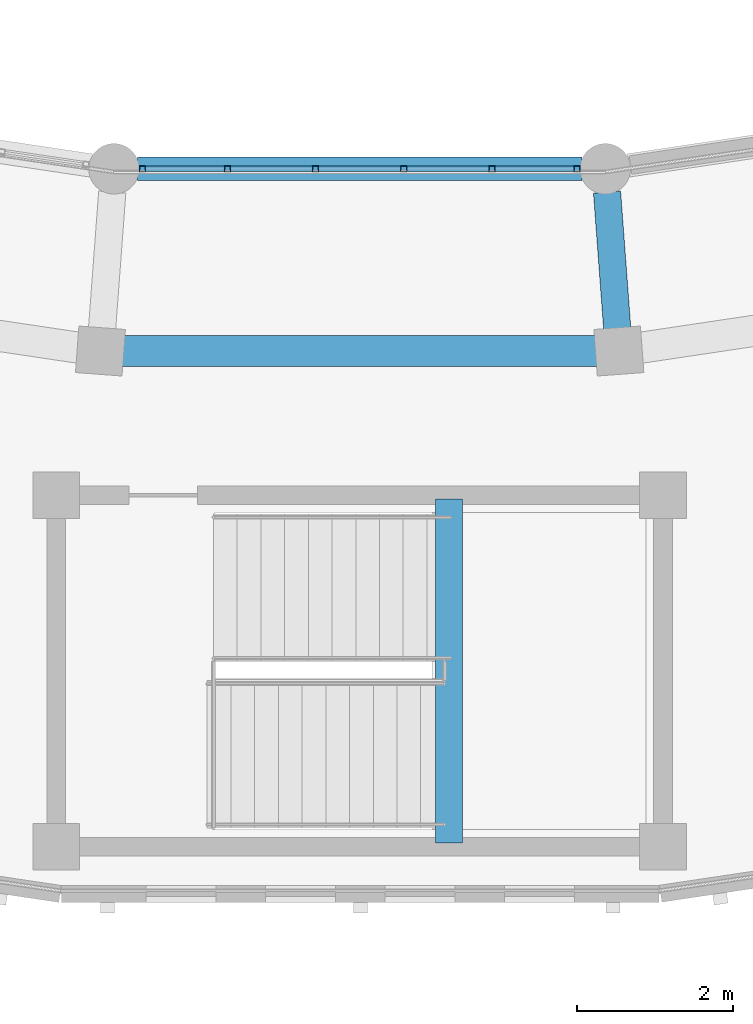
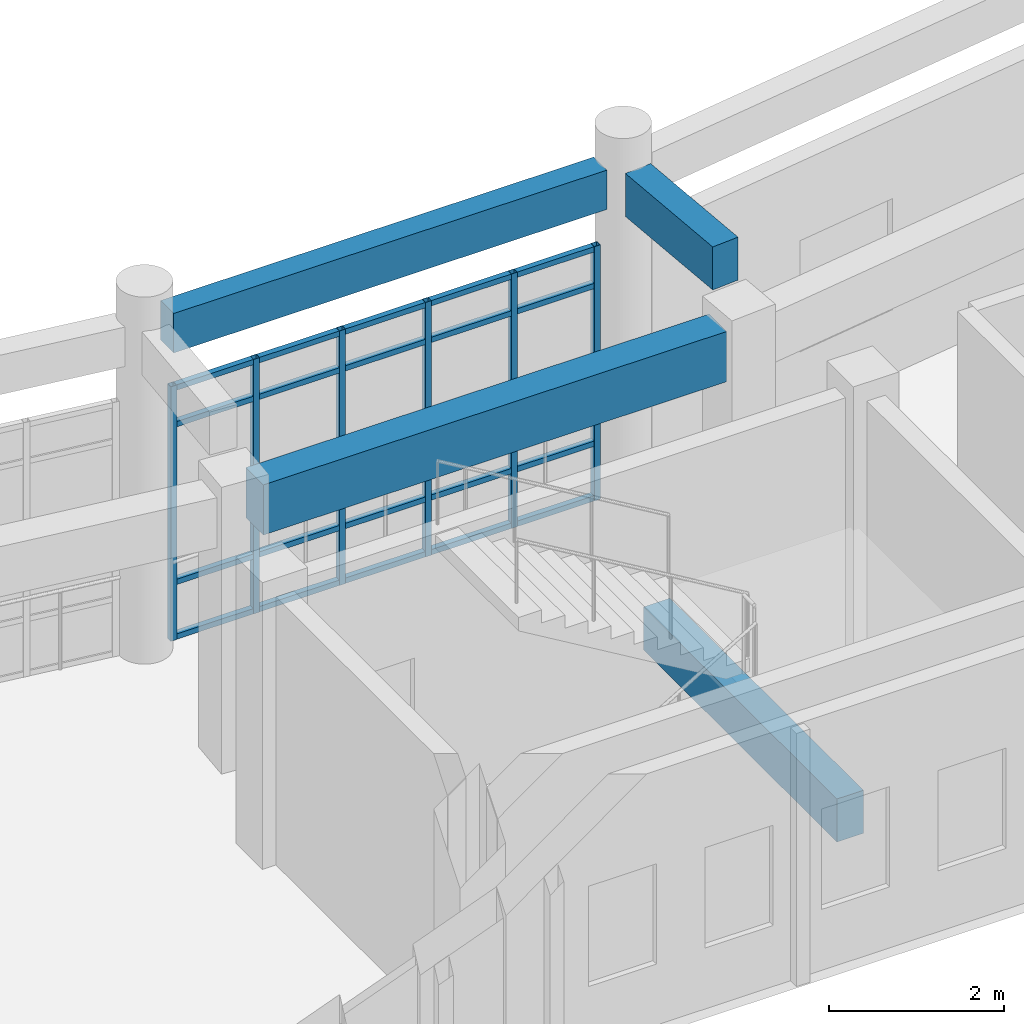
# One storey, part 32 of 159: 26 members, 4 beams, 1 element without a shape of its own.
"""IFC4 building model written with IfcOpenShell, lengths in metres."""

from ifc_helpers import new_model, si_unit, direction, frame, origin, origin_2d, place, context, subcontext, project, spatial, rectangle, hollow_rectangle, extrude, material, material_profile, profile_set, type_object, element, aggregate, save


model = new_model("IFC4")

# Units and contexts
model_context = context("Model", 3, precision=1e-05, world=origin(), true_north=direction((0.0, 1.0)))
body_context = subcontext(model_context, "Body", "Model", "MODEL_VIEW")
ifc_project = project(units=[si_unit("LENGTHUNIT", "METRE"), si_unit("AREAUNIT", "SQUARE_METRE"), si_unit("VOLUMEUNIT", "CUBIC_METRE"), si_unit("PLANEANGLEUNIT", "RADIAN"), si_unit("MASSUNIT", "GRAM", prefix="KILO")], contexts=[model_context])

# Site, building, storey
site_placement = place(None, origin())
site = spatial("IfcSite", under=ifc_project, at=site_placement, CompositionType="ELEMENT")
building_placement = place(site_placement, origin())
building = spatial("IfcBuilding", under=site, at=building_placement, Name="Celadon Cloister-Ring School", CompositionType="ELEMENT")
storey_placement = place(building_placement, frame((0.0, 0.0, 4.5)))
storey = spatial("IfcBuildingStorey", under=building, at=storey_placement, Name="L01", CompositionType="ELEMENT", Elevation=4.5)

# Beams
ifc_material_1 = material(Name="Concrete C35/45", Category="concrete")
ifc_material_profile_1 = material_profile(ifc_material_1, rectangle(XDim=0.35009765625, YDim=0.60009765625, at=origin_2d()), Name="RC350X600")
ifc_profile_set_1 = profile_set([ifc_material_profile_1], Name="Concrete C35/45")
beam_type_1 = type_object("IfcBeamType", Name="BT-02", PredefinedType="BEAM", material=ifc_profile_set_1)
beam_1_placement = place(storey_placement, frame((90.31298828125, 14.39794921875, 4.35009765625), z_axis=(-0.074413800037, 0.997227449664, 0.0), x_axis=(-0.997227449664, -0.074413800037, 0.0)))
element("IfcBeam", 1, at=beam_1_placement, inside=storey, type_object=beam_type_1, Name="Beam 0233", PredefinedType="BEAM", context=body_context, shape_type="SweptSolid", body=[
    extrude(rectangle(XDim=0.35009765625, YDim=0.60009765625, at=origin_2d()), origin(), (0.0, 0.0, 1.0), 1.77490234375),
])
beam_2_placement = place(storey_placement, frame((88.14990234375, 7.800048828125, 1.39990234375), z_axis=(0.0, 1.0, 0.0), x_axis=(-1.0, 0.0, 0.0)))
element("IfcBeam", 2, at=beam_2_placement, inside=storey, type_object=beam_type_1, Name="Stair Landing Beam 1752", PredefinedType="BEAM", context=body_context, shape_type="SweptSolid", body=[
    extrude(rectangle(XDim=0.35009765625, YDim=0.60009765625, at=origin_2d()), origin(), (0.0, 0.0, 1.0), 4.419921875),
])

# Curtain wall, members
ifc_material_2 = material(Name="Aluminium EN AW-6063 T6", Category="aluminium")
curtain_wall_type = type_object("IfcCurtainWallType", Name="CW-01", PredefinedType="USERDEFINED", material=ifc_material_2)
curtain_wall_placement = place(storey_placement, origin())
curtain_wall = element("IfcCurtainWall", 3, at=curtain_wall_placement, inside=storey, type_object=curtain_wall_type, Name="Curtain Wall 0032", ObjectType="CURTAIN WALL", PredefinedType="USERDEFINED")
ifc_material_3 = material(Name="Aluminium EN AW-6063 T6", Category="aluminium")
ifc_material_profile_2 = material_profile(ifc_material_3, hollow_rectangle(XDim=0.080078125, YDim=0.080078125, WallThickness=0.00390625, at=origin_2d()), Name="RHS80X80X4")
ifc_profile_set_2 = profile_set([ifc_material_profile_2], Name="Aluminium EN AW-6063 T6")
member_type_1 = type_object("IfcMemberType", Name="CM-03", PredefinedType="MULLION", material=ifc_profile_set_2)
member_1_placement = place(storey_placement, frame((84.2060546875, 16.467041015625, 0.0), z_axis=(0.0, 0.0, 1.0), x_axis=(0.0, 1.0, 0.0)))
member_1 = element("IfcMember", 4, at=member_1_placement, type_object=member_type_1, Name="CW-01 mullion 1", PredefinedType="MULLION", context=body_context, shape_type="SweptSolid", body=[
    extrude(hollow_rectangle(XDim=0.080078125, YDim=0.080078125, WallThickness=0.00390625, at=origin_2d()), origin(), (0.0, 0.0, 1.0), 3.550048828125),
])
member_2_placement = place(storey_placement, frame((85.299560546875, 16.467041015625, 0.0), z_axis=(0.0, 0.0, 1.0), x_axis=(0.0, 1.0, 0.0)))
member_2 = element("IfcMember", 5, at=member_2_placement, type_object=member_type_1, Name="CW-01 mullion 2", PredefinedType="MULLION", context=body_context, shape_type="SweptSolid", body=[
    extrude(hollow_rectangle(XDim=0.080078125, YDim=0.080078125, WallThickness=0.00390625, at=origin_2d()), origin(), (0.0, 0.0, 1.0), 3.550048828125),
])
member_3_placement = place(storey_placement, frame((86.43310546875, 16.467041015625, 0.0), z_axis=(0.0, 0.0, 1.0), x_axis=(0.0, 1.0, 0.0)))
member_3 = element("IfcMember", 6, at=member_3_placement, type_object=member_type_1, Name="CW-01 mullion 3", PredefinedType="MULLION", context=body_context, shape_type="SweptSolid", body=[
    extrude(hollow_rectangle(XDim=0.080078125, YDim=0.080078125, WallThickness=0.00390625, at=origin_2d()), origin(), (0.0, 0.0, 1.0), 3.550048828125),
])
member_4_placement = place(storey_placement, frame((87.56689453125, 16.467041015625, 0.0), z_axis=(0.0, 0.0, 1.0), x_axis=(0.0, 1.0, 0.0)))
member_4 = element("IfcMember", 7, at=member_4_placement, type_object=member_type_1, Name="CW-01 mullion 4", PredefinedType="MULLION", context=body_context, shape_type="SweptSolid", body=[
    extrude(hollow_rectangle(XDim=0.080078125, YDim=0.080078125, WallThickness=0.00390625, at=origin_2d()), origin(), (0.0, 0.0, 1.0), 3.550048828125),
])
member_5_placement = place(storey_placement, frame((88.700439453125, 16.467041015625, 0.0), z_axis=(0.0, 0.0, 1.0), x_axis=(0.0, 1.0, 0.0)))
member_5 = element("IfcMember", 8, at=member_5_placement, type_object=member_type_1, Name="CW-01 mullion 5", PredefinedType="MULLION", context=body_context, shape_type="SweptSolid", body=[
    extrude(hollow_rectangle(XDim=0.080078125, YDim=0.080078125, WallThickness=0.00390625, at=origin_2d()), origin(), (0.0, 0.0, 1.0), 3.550048828125),
])
member_6_placement = place(storey_placement, frame((89.7939453125, 16.467041015625, 0.0), z_axis=(0.0, 0.0, 1.0), x_axis=(0.0, 1.0, 0.0)))
member_6 = element("IfcMember", 9, at=member_6_placement, type_object=member_type_1, Name="CW-01 mullion 6", PredefinedType="MULLION", context=body_context, shape_type="SweptSolid", body=[
    extrude(hollow_rectangle(XDim=0.080078125, YDim=0.080078125, WallThickness=0.00390625, at=origin_2d()), origin(), (0.0, 0.0, 1.0), 3.550048828125),
])
ifc_material_4 = material(Name="Aluminium EN AW-6063 T6", Category="aluminium")
ifc_material_profile_3 = material_profile(ifc_material_4, hollow_rectangle(XDim=0.074951171875, YDim=0.074951171875, WallThickness=0.00390625, at=origin_2d()), Name="RHS75X75X4")
ifc_profile_set_3 = profile_set([ifc_material_profile_3], Name="Aluminium EN AW-6063 T6")
member_type_2 = type_object("IfcMemberType", Name="CTM-03", PredefinedType="USERDEFINED", material=ifc_profile_set_3)
member_7_placement = place(storey_placement, frame((84.24609375, 16.467041015625, 0.03759765625), z_axis=(1.0, 0.0, 0.0), x_axis=(0.0, 1.0, 0.0)))
member_7 = element("IfcMember", 10, at=member_7_placement, type_object=member_type_2, Name="CW-01 transom 1.1", ObjectType="TRANSOM", PredefinedType="USERDEFINED", context=body_context, shape_type="SweptSolid", body=[
    extrude(hollow_rectangle(XDim=0.074951171875, YDim=0.074951171875, WallThickness=0.00390625, at=origin_2d()), origin(), (0.0, 0.0, 1.0), 1.013427734375),
])
member_8_placement = place(storey_placement, frame((84.24609375, 16.467041015625, 0.800048828125), z_axis=(1.0, 0.0, 0.0), x_axis=(0.0, 1.0, 0.0)))
member_8 = element("IfcMember", 11, at=member_8_placement, type_object=member_type_2, Name="CW-01 transom 1.2", ObjectType="TRANSOM", PredefinedType="USERDEFINED", context=body_context, shape_type="SweptSolid", body=[
    extrude(hollow_rectangle(XDim=0.074951171875, YDim=0.074951171875, WallThickness=0.00390625, at=origin_2d()), origin(), (0.0, 0.0, 1.0), 1.013427734375),
])
member_9_placement = place(storey_placement, frame((84.24609375, 16.467041015625, 3.0), z_axis=(1.0, 0.0, 0.0), x_axis=(0.0, 1.0, 0.0)))
member_9 = element("IfcMember", 12, at=member_9_placement, type_object=member_type_2, Name="CW-01 transom 1.3", ObjectType="TRANSOM", PredefinedType="USERDEFINED", context=body_context, shape_type="SweptSolid", body=[
    extrude(hollow_rectangle(XDim=0.074951171875, YDim=0.074951171875, WallThickness=0.00390625, at=origin_2d()), origin(), (0.0, 0.0, 1.0), 1.013427734375),
])
member_10_placement = place(storey_placement, frame((84.24609375, 16.467041015625, 3.512451171875), z_axis=(1.0, 0.0, 0.0), x_axis=(0.0, 1.0, 0.0)))
member_10 = element("IfcMember", 13, at=member_10_placement, type_object=member_type_2, Name="CW-01 transom 1.4", ObjectType="TRANSOM", PredefinedType="USERDEFINED", context=body_context, shape_type="SweptSolid", body=[
    extrude(hollow_rectangle(XDim=0.074951171875, YDim=0.074951171875, WallThickness=0.00390625, at=origin_2d()), origin(), (0.0, 0.0, 1.0), 1.013427734375),
])
member_11_placement = place(storey_placement, frame((85.339599609375, 16.467041015625, 0.03759765625), z_axis=(1.0, 0.0, 0.0), x_axis=(0.0, 1.0, 0.0)))
member_11 = element("IfcMember", 14, at=member_11_placement, type_object=member_type_2, Name="CW-01 transom 2.1", ObjectType="TRANSOM", PredefinedType="USERDEFINED", context=body_context, shape_type="SweptSolid", body=[
    extrude(hollow_rectangle(XDim=0.074951171875, YDim=0.074951171875, WallThickness=0.00390625, at=origin_2d()), origin(), (0.0, 0.0, 1.0), 1.0537109375),
])
member_12_placement = place(storey_placement, frame((85.339599609375, 16.467041015625, 0.800048828125), z_axis=(1.0, 0.0, 0.0), x_axis=(0.0, 1.0, 0.0)))
member_12 = element("IfcMember", 15, at=member_12_placement, type_object=member_type_2, Name="CW-01 transom 2.2", ObjectType="TRANSOM", PredefinedType="USERDEFINED", context=body_context, shape_type="SweptSolid", body=[
    extrude(hollow_rectangle(XDim=0.074951171875, YDim=0.074951171875, WallThickness=0.00390625, at=origin_2d()), origin(), (0.0, 0.0, 1.0), 1.0537109375),
])
member_13_placement = place(storey_placement, frame((85.339599609375, 16.467041015625, 3.0), z_axis=(1.0, 0.0, 0.0), x_axis=(0.0, 1.0, 0.0)))
member_13 = element("IfcMember", 16, at=member_13_placement, type_object=member_type_2, Name="CW-01 transom 2.3", ObjectType="TRANSOM", PredefinedType="USERDEFINED", context=body_context, shape_type="SweptSolid", body=[
    extrude(hollow_rectangle(XDim=0.074951171875, YDim=0.074951171875, WallThickness=0.00390625, at=origin_2d()), origin(), (0.0, 0.0, 1.0), 1.0537109375),
])
member_14_placement = place(storey_placement, frame((85.339599609375, 16.467041015625, 3.512451171875), z_axis=(1.0, 0.0, 0.0), x_axis=(0.0, 1.0, 0.0)))
member_14 = element("IfcMember", 17, at=member_14_placement, type_object=member_type_2, Name="CW-01 transom 2.4", ObjectType="TRANSOM", PredefinedType="USERDEFINED", context=body_context, shape_type="SweptSolid", body=[
    extrude(hollow_rectangle(XDim=0.074951171875, YDim=0.074951171875, WallThickness=0.00390625, at=origin_2d()), origin(), (0.0, 0.0, 1.0), 1.0537109375),
])
member_15_placement = place(storey_placement, frame((86.47314453125, 16.467041015625, 0.03759765625), z_axis=(1.0, 0.0, 0.0), x_axis=(0.0, 1.0, 0.0)))
member_15 = element("IfcMember", 18, at=member_15_placement, type_object=member_type_2, Name="CW-01 transom 3.1", ObjectType="TRANSOM", PredefinedType="USERDEFINED", context=body_context, shape_type="SweptSolid", body=[
    extrude(hollow_rectangle(XDim=0.074951171875, YDim=0.074951171875, WallThickness=0.00390625, at=origin_2d()), origin(), (0.0, 0.0, 1.0), 1.0537109375),
])
member_16_placement = place(storey_placement, frame((86.47314453125, 16.467041015625, 0.800048828125), z_axis=(1.0, 0.0, 0.0), x_axis=(0.0, 1.0, 0.0)))
member_16 = element("IfcMember", 19, at=member_16_placement, type_object=member_type_2, Name="CW-01 transom 3.2", ObjectType="TRANSOM", PredefinedType="USERDEFINED", context=body_context, shape_type="SweptSolid", body=[
    extrude(hollow_rectangle(XDim=0.074951171875, YDim=0.074951171875, WallThickness=0.00390625, at=origin_2d()), origin(), (0.0, 0.0, 1.0), 1.0537109375),
])
member_17_placement = place(storey_placement, frame((86.47314453125, 16.467041015625, 3.0), z_axis=(1.0, 0.0, 0.0), x_axis=(0.0, 1.0, 0.0)))
member_17 = element("IfcMember", 20, at=member_17_placement, type_object=member_type_2, Name="CW-01 transom 3.3", ObjectType="TRANSOM", PredefinedType="USERDEFINED", context=body_context, shape_type="SweptSolid", body=[
    extrude(hollow_rectangle(XDim=0.074951171875, YDim=0.074951171875, WallThickness=0.00390625, at=origin_2d()), origin(), (0.0, 0.0, 1.0), 1.0537109375),
])
member_18_placement = place(storey_placement, frame((86.47314453125, 16.467041015625, 3.512451171875), z_axis=(1.0, 0.0, 0.0), x_axis=(0.0, 1.0, 0.0)))
member_18 = element("IfcMember", 21, at=member_18_placement, type_object=member_type_2, Name="CW-01 transom 3.4", ObjectType="TRANSOM", PredefinedType="USERDEFINED", context=body_context, shape_type="SweptSolid", body=[
    extrude(hollow_rectangle(XDim=0.074951171875, YDim=0.074951171875, WallThickness=0.00390625, at=origin_2d()), origin(), (0.0, 0.0, 1.0), 1.0537109375),
])
member_19_placement = place(storey_placement, frame((87.606689453125, 16.467041015625, 0.03759765625), z_axis=(1.0, 0.0, 0.0), x_axis=(0.0, 1.0, 0.0)))
member_19 = element("IfcMember", 22, at=member_19_placement, type_object=member_type_2, Name="CW-01 transom 4.1", ObjectType="TRANSOM", PredefinedType="USERDEFINED", context=body_context, shape_type="SweptSolid", body=[
    extrude(hollow_rectangle(XDim=0.074951171875, YDim=0.074951171875, WallThickness=0.00390625, at=origin_2d()), origin(), (0.0, 0.0, 1.0), 1.0537109375),
])
member_20_placement = place(storey_placement, frame((87.606689453125, 16.467041015625, 0.800048828125), z_axis=(1.0, 0.0, 0.0), x_axis=(0.0, 1.0, 0.0)))
member_20 = element("IfcMember", 23, at=member_20_placement, type_object=member_type_2, Name="CW-01 transom 4.2", ObjectType="TRANSOM", PredefinedType="USERDEFINED", context=body_context, shape_type="SweptSolid", body=[
    extrude(hollow_rectangle(XDim=0.074951171875, YDim=0.074951171875, WallThickness=0.00390625, at=origin_2d()), origin(), (0.0, 0.0, 1.0), 1.0537109375),
])
member_21_placement = place(storey_placement, frame((87.606689453125, 16.467041015625, 3.0), z_axis=(1.0, 0.0, 0.0), x_axis=(0.0, 1.0, 0.0)))
member_21 = element("IfcMember", 24, at=member_21_placement, type_object=member_type_2, Name="CW-01 transom 4.3", ObjectType="TRANSOM", PredefinedType="USERDEFINED", context=body_context, shape_type="SweptSolid", body=[
    extrude(hollow_rectangle(XDim=0.074951171875, YDim=0.074951171875, WallThickness=0.00390625, at=origin_2d()), origin(), (0.0, 0.0, 1.0), 1.0537109375),
])
member_22_placement = place(storey_placement, frame((87.606689453125, 16.467041015625, 3.512451171875), z_axis=(1.0, 0.0, 0.0), x_axis=(0.0, 1.0, 0.0)))
member_22 = element("IfcMember", 25, at=member_22_placement, type_object=member_type_2, Name="CW-01 transom 4.4", ObjectType="TRANSOM", PredefinedType="USERDEFINED", context=body_context, shape_type="SweptSolid", body=[
    extrude(hollow_rectangle(XDim=0.074951171875, YDim=0.074951171875, WallThickness=0.00390625, at=origin_2d()), origin(), (0.0, 0.0, 1.0), 1.0537109375),
])
member_23_placement = place(storey_placement, frame((88.740478515625, 16.467041015625, 0.03759765625), z_axis=(1.0, 0.0, 0.0), x_axis=(0.0, 1.0, 0.0)))
member_23 = element("IfcMember", 26, at=member_23_placement, type_object=member_type_2, Name="CW-01 transom 5.1", ObjectType="TRANSOM", PredefinedType="USERDEFINED", context=body_context, shape_type="SweptSolid", body=[
    extrude(hollow_rectangle(XDim=0.074951171875, YDim=0.074951171875, WallThickness=0.00390625, at=origin_2d()), origin(), (0.0, 0.0, 1.0), 1.013427734375),
])
member_24_placement = place(storey_placement, frame((88.740478515625, 16.467041015625, 0.800048828125), z_axis=(1.0, 0.0, 0.0), x_axis=(0.0, 1.0, 0.0)))
member_24 = element("IfcMember", 27, at=member_24_placement, type_object=member_type_2, Name="CW-01 transom 5.2", ObjectType="TRANSOM", PredefinedType="USERDEFINED", context=body_context, shape_type="SweptSolid", body=[
    extrude(hollow_rectangle(XDim=0.074951171875, YDim=0.074951171875, WallThickness=0.00390625, at=origin_2d()), origin(), (0.0, 0.0, 1.0), 1.013427734375),
])
member_25_placement = place(storey_placement, frame((88.740478515625, 16.467041015625, 3.0), z_axis=(1.0, 0.0, 0.0), x_axis=(0.0, 1.0, 0.0)))
member_25 = element("IfcMember", 28, at=member_25_placement, type_object=member_type_2, Name="CW-01 transom 5.3", ObjectType="TRANSOM", PredefinedType="USERDEFINED", context=body_context, shape_type="SweptSolid", body=[
    extrude(hollow_rectangle(XDim=0.074951171875, YDim=0.074951171875, WallThickness=0.00390625, at=origin_2d()), origin(), (0.0, 0.0, 1.0), 1.013427734375),
])
member_26_placement = place(storey_placement, frame((88.740478515625, 16.467041015625, 3.512451171875), z_axis=(1.0, 0.0, 0.0), x_axis=(0.0, 1.0, 0.0)))
member_26 = element("IfcMember", 29, at=member_26_placement, type_object=member_type_2, Name="CW-01 transom 5.4", ObjectType="TRANSOM", PredefinedType="USERDEFINED", context=body_context, shape_type="SweptSolid", body=[
    extrude(hollow_rectangle(XDim=0.074951171875, YDim=0.074951171875, WallThickness=0.00390625, at=origin_2d()), origin(), (0.0, 0.0, 1.0), 1.013427734375),
])
aggregate(curtain_wall, [member_1, member_2, member_3, member_4, member_5, member_6, member_7, member_8, member_9, member_10, member_11, member_12, member_13, member_14, member_15, member_16, member_17, member_18, member_19, member_20, member_21, member_22, member_23, member_24, member_25, member_26])

# Beams
ifc_material_5 = material(Name="Concrete C35/45", Category="concrete")
ifc_material_profile_4 = material_profile(ifc_material_5, rectangle(XDim=0.39990234375, YDim=0.699951171875, at=origin_2d()), Name="RC400X700")
ifc_profile_set_4 = profile_set([ifc_material_profile_4], Name="Concrete C35/45")
beam_type_2 = type_object("IfcBeamType", Name="GT-03", PredefinedType="USERDEFINED", material=ifc_profile_set_4)
beam_3_placement = place(storey_placement, frame((83.94189453125, 14.1240234375, 3.429931640625), z_axis=(1.0, 0.0, 0.0), x_axis=(0.0, 1.0, 0.0)))
element("IfcBeam", 30, at=beam_3_placement, inside=storey, type_object=beam_type_2, Name="Beam 0331", ObjectType="GIRDER", PredefinedType="USERDEFINED", context=body_context, shape_type="SweptSolid", body=[
    extrude(rectangle(XDim=0.39990234375, YDim=0.699951171875, at=origin_2d()), origin(), (0.0, 0.0, 1.0), 6.1162109375),
])
ifc_material_6 = material(Name="Concrete C35/45", Category="concrete")
ifc_material_profile_5 = material_profile(ifc_material_6, rectangle(XDim=0.300048828125, YDim=0.550048828125, at=origin_2d()), Name="RC300X550")
ifc_profile_set_5 = profile_set([ifc_material_profile_5], Name="Concrete C35/45")
beam_type_3 = type_object("IfcBeamType", Name="SP-02", PredefinedType="SPANDREL", material=ifc_profile_set_5)
beam_4_placement = place(storey_placement, frame((84.14111328125, 16.467041015625, 4.375), z_axis=(1.0, 0.0, 0.0), x_axis=(0.0, 1.0, 0.0)))
element("IfcBeam", 31, at=beam_4_placement, inside=storey, type_object=beam_type_3, Name="Beam 0332", PredefinedType="SPANDREL", context=body_context, shape_type="SweptSolid", body=[
    extrude(rectangle(XDim=0.300048828125, YDim=0.550048828125, at=origin_2d()), origin(), (0.0, 0.0, 1.0), 5.7177734375),
])

save(model, "model.ifc")
